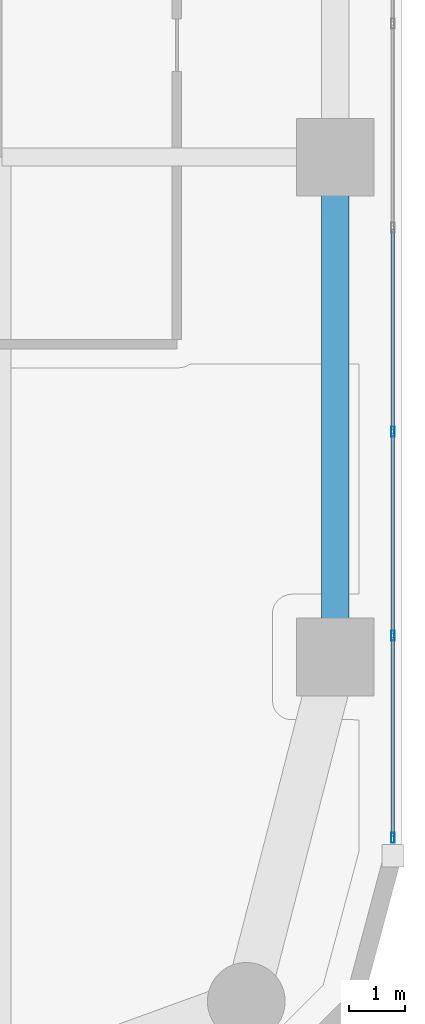
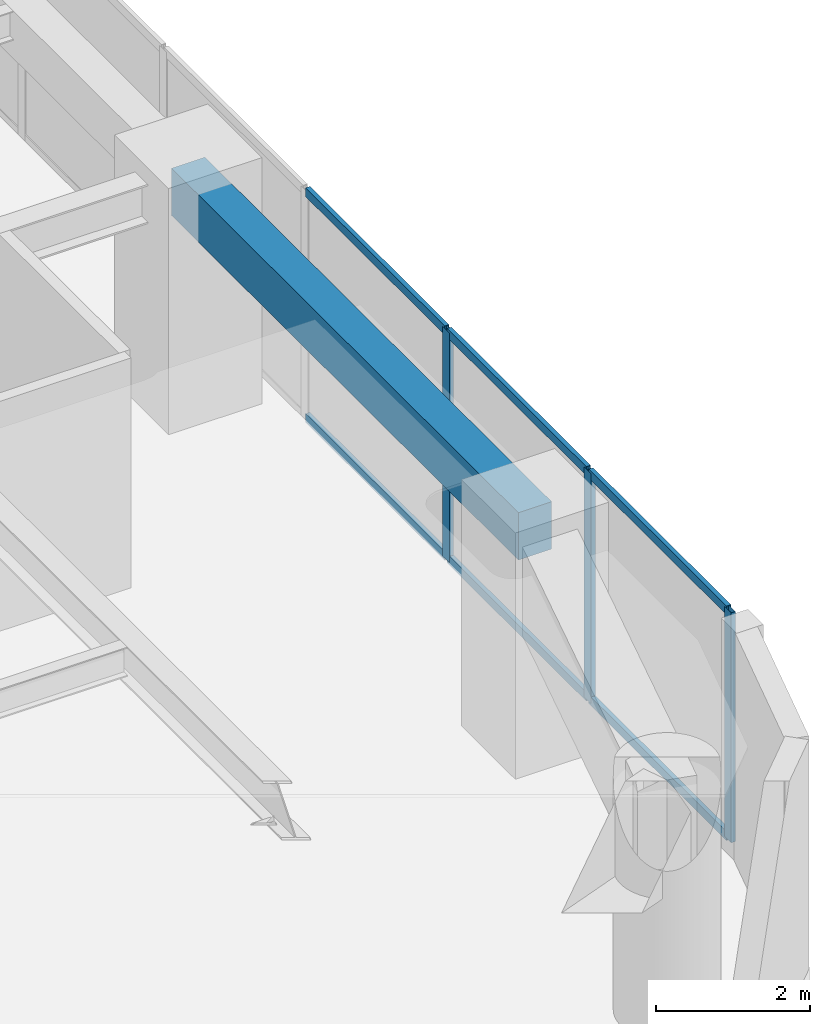
# One storey, part 4 of 24: 9 members, 1 beam, 1 element without a shape of its own.
"""IFC4 building model written with IfcOpenShell, lengths in metres."""

import ifcopenshell
import ifcopenshell.guid

model = None  # the IFC model being written
_history = None  # IfcOwnerHistory: only IFC2X3 demands one
_inside = {}  # id of a spatial element -> (the spatial element, [elements in it])
_under = {}  # id of a project, library or spatial element -> (it, [spatial elements below it])
_declared = {}  # id of a project -> (the project, [libraries it declares])
_typed = {}  # id of a type object -> (the type object, [elements of that type])
_made_of = {}  # id of a material, layer set ... -> (it, [elements and type objects made of it])


def new_model(schema):
    """Start an empty IFC model of exactly this schema.

    Asked for "IFC4X3", IfcOpenShell would pick the latest addendum, in which some entities
    have other attributes; the version numbers below select the first issue.
    IFC2X3 requires an IfcOwnerHistory on every rooted entity: one is made here for all.
    """
    global model, _history
    if schema == "IFC4X3":
        model = ifcopenshell.file(schema_version=(4, 3, 0, 0))
    else:
        model = ifcopenshell.file(schema=schema)
    _inside.clear()
    _under.clear()
    _declared.clear()
    _typed.clear()
    _made_of.clear()
    _history = None
    if model.schema == "IFC2X3":
        org = make("IfcOrganization", Name="unknown")
        user = make(
            "IfcPersonAndOrganization",
            ThePerson=make("IfcPerson", FamilyName="unknown"),
            TheOrganization=org,
        )
        app = make(
            "IfcApplication",
            ApplicationDeveloper=org,
            Version="unknown",
            ApplicationFullName="unknown",
            ApplicationIdentifier="unknown",
        )
        _history = make(
            "IfcOwnerHistory",
            OwningUser=user,
            OwningApplication=app,
            ChangeAction="ADDED",
            CreationDate=0,
        )
    return model


def make(cls, **values):
    """One entity of the class cls with the attributes given. An attribute that is None is left unset."""
    return model.create_entity(
        cls, **{name: value for name, value in values.items() if value is not None}
    )


def rooted(cls, **values):
    """An entity with a GlobalId (a new one), such as an element, a storey or a relation."""
    return make(cls, GlobalId=ifcopenshell.guid.new(), OwnerHistory=_history, **values)


def si_unit(unit_type, name, prefix=None):
    """IfcSIUnit, for example si_unit("LENGTHUNIT", "METRE", prefix="MILLI")."""
    return make("IfcSIUnit", UnitType=unit_type, Prefix=prefix, Name=name)


def assignment(units):
    """IfcUnitAssignment: the units of a project."""
    return None if units is None else make("IfcUnitAssignment", Units=units)


def point(xyz):
    """IfcCartesianPoint."""
    return None if xyz is None else make("IfcCartesianPoint", Coordinates=xyz)


def direction(xyz):
    """IfcDirection."""
    return None if xyz is None else make("IfcDirection", DirectionRatios=xyz)


def frame(location, z_axis=None, x_axis=None):
    """IfcAxis2Placement3D, a coordinate frame: its origin and axes. An axis left out is left unset."""
    return make(
        "IfcAxis2Placement3D",
        Location=point(location),
        Axis=direction(z_axis),
        RefDirection=direction(x_axis),
    )


def frame_2d(location, x_axis=None):
    """IfcAxis2Placement2D, a coordinate frame in the plane: its origin and x axis."""
    return make(
        "IfcAxis2Placement2D", Location=point(location), RefDirection=direction(x_axis)
    )


def origin():
    """The frame at (0, 0, 0) with its axes left unset."""
    return frame((0.0, 0.0, 0.0))


def origin_2d():
    """The frame at (0, 0) in the plane with its x axis left unset."""
    return frame_2d((0.0, 0.0))


def place(relative_to, where):
    """IfcLocalPlacement: puts the frame where relative to a parent placement (None: the world)."""
    return make(
        "IfcLocalPlacement", PlacementRelTo=relative_to, RelativePlacement=where
    )


def context(
    kind, dimensions, precision=None, world=None, true_north=None, identifier=None
):
    """IfcGeometricRepresentationContext, for example the 3D "Model" context."""
    return make(
        "IfcGeometricRepresentationContext",
        ContextIdentifier=identifier,
        ContextType=kind,
        CoordinateSpaceDimension=dimensions,
        Precision=precision,
        WorldCoordinateSystem=world,
        TrueNorth=true_north,
    )


def subcontext(parent, identifier, kind, view, scale=None):
    """IfcGeometricRepresentationSubContext, for example "Body" below "Model"."""
    return make(
        "IfcGeometricRepresentationSubContext",
        ContextIdentifier=identifier,
        ContextType=kind,
        ParentContext=parent,
        TargetScale=scale,
        TargetView=view,
    )


def project(units=None, contexts=None):
    """IfcProject with its units and contexts."""
    return rooted(
        "IfcProject",
        Name="project",
        RepresentationContexts=contexts,
        UnitsInContext=assignment(units),
    )


def spatial(cls, under=None, at=None, **own):
    """A site, building, storey or space (cls), placed at a placement, below another one or the project."""
    s = rooted(cls, ObjectPlacement=at, **own)
    if under is not None:
        _under.setdefault(under.id(), (under, []))[1].append(s)
    return s


def profile(cls, at=None, kind="AREA", **sizes):
    """A parametric profile (cls). Its sizes go by their IFC names, for example OverallWidth=200.0."""
    return make(cls, ProfileType=kind, Position=at, **sizes)


def rectangle(**sizes):
    """IfcRectangleProfileDef."""
    return profile("IfcRectangleProfileDef", **sizes)


def hollow_rectangle(**sizes):
    """IfcRectangleHollowProfileDef."""
    return profile("IfcRectangleHollowProfileDef", **sizes)


def extrude(swept, where, along, depth):
    """IfcExtrudedAreaSolid: the profile swept, set in the frame where, extruded along a direction by depth."""
    return make(
        "IfcExtrudedAreaSolid",
        SweptArea=swept,
        Position=where,
        ExtrudedDirection=direction(along),
        Depth=depth,
    )


def shape(context_of_items, identifier, shape_type, items):
    """IfcShapeRepresentation: the items that make up one representation, for example the "Body"."""
    return make(
        "IfcShapeRepresentation",
        ContextOfItems=context_of_items,
        RepresentationIdentifier=identifier,
        RepresentationType=shape_type,
        Items=items,
    )


def material(Name=None, Category=None):
    """IfcMaterial."""
    return make("IfcMaterial", Name=Name, Category=Category)


def layer(
    of_material, thickness, ventilated=None, Name=None, Category=None, Priority=None
):
    """IfcMaterialLayer: one layer of a wall or slab, of a material (None: an air gap)."""
    return make(
        "IfcMaterialLayer",
        Material=of_material,
        LayerThickness=thickness,
        IsVentilated=ventilated,
        Name=Name,
        Category=Category,
        Priority=Priority,
    )


def layer_set(layers, Name=None):
    """IfcMaterialLayerSet."""
    return make("IfcMaterialLayerSet", MaterialLayers=layers, LayerSetName=Name)


def material_profile(
    of_material, cross_section, Name=None, Category=None, Priority=None
):
    """IfcMaterialProfile: a cross section and its material."""
    return make(
        "IfcMaterialProfile",
        Name=Name,
        Material=of_material,
        Profile=cross_section,
        Priority=Priority,
        Category=Category,
    )


def profile_set(profiles, Name=None, composite=None):
    """IfcMaterialProfileSet."""
    return make(
        "IfcMaterialProfileSet",
        Name=Name,
        MaterialProfiles=profiles,
        CompositeProfile=composite,
    )


def made_of(thing, what):
    """Note that an element or type object is made of a material, layer set ...; save() writes the relation."""
    if what is not None:
        _made_of.setdefault(what.id(), (what, []))[1].append(thing)
    return thing


def type_object(cls, material=None, **own):
    """A type object (cls), such as IfcWallType, which elements share."""
    return made_of(rooted(cls, **own), material)


def element(
    cls,
    number,
    at=None,
    inside=None,
    cuts=None,
    type_object=None,
    material=None,
    context=None,
    identifier="Body",
    shape_type=None,
    held_by="IfcProductDefinitionShape",
    body=None,
    shapes=None,
    **own,
):
    """One element of the class cls, such as IfcWall. Its Tag is "e" and its number.

    at: its placement. inside: the storey or other place that contains it. cuts: it is an
    opening in that element (IfcRelVoidsElement). A single representation is given by context,
    identifier, shape_type and body (its items); several are given by shapes. held_by: the class
    of the entity that holds the representations. save() writes the other relations.
    """
    e = rooted(cls, Tag="e%d" % number, ObjectPlacement=at, **own)
    if body is not None:
        shapes = [shape(context, identifier, shape_type, body)]
    if shapes is not None:
        e.Representation = make(held_by, Representations=shapes)
    if inside is not None:
        _inside.setdefault(inside.id(), (inside, []))[1].append(e)
    if cuts is not None:
        rooted(
            "IfcRelVoidsElement", RelatingBuildingElement=cuts, RelatedOpeningElement=e
        )
    if type_object is not None:
        _typed.setdefault(type_object.id(), (type_object, []))[1].append(e)
    return made_of(e, material)


def aggregate(whole, parts):
    """IfcRelAggregates: a whole, such as a stair, and the parts it consists of."""
    return rooted("IfcRelAggregates", RelatingObject=whole, RelatedObjects=parts)


def save(model, path):
    """Write the relations noted so far, then the file.

    IfcRelAggregates (storeys below a building ...), IfcRelContainedInSpatialStructure (elements
    in a storey), IfcRelDefinesByType, IfcRelAssociatesMaterial and IfcRelDeclares: one each for
    every whole, place, type object, material and project.
    """
    for whole, parts in _under.values():
        aggregate(whole, parts)
    for where, things in _inside.values():
        rooted(
            "IfcRelContainedInSpatialStructure",
            RelatedElements=things,
            RelatingStructure=where,
        )
    for kind, things in _typed.values():
        rooted("IfcRelDefinesByType", RelatedObjects=things, RelatingType=kind)
    for what, things in _made_of.values():
        rooted("IfcRelAssociatesMaterial", RelatedObjects=things, RelatingMaterial=what)
    for by, libraries in _declared.values():
        rooted("IfcRelDeclares", RelatingContext=by, RelatedDefinitions=libraries)
    model.write(path)


model = new_model("IFC4")

# Units and contexts
model_context = context("Model", 3, precision=1e-05, world=origin(), true_north=direction((0.0, 1.0)))
body_context = subcontext(model_context, "Body", "Model", "MODEL_VIEW")
ifc_project = project(units=[si_unit("LENGTHUNIT", "METRE"), si_unit("AREAUNIT", "SQUARE_METRE"), si_unit("VOLUMEUNIT", "CUBIC_METRE"), si_unit("PLANEANGLEUNIT", "RADIAN"), si_unit("MASSUNIT", "GRAM", prefix="KILO")], contexts=[model_context])

# Site, building, storey
site_placement = place(None, origin())
site = spatial("IfcSite", under=ifc_project, at=site_placement, CompositionType="ELEMENT")
building_placement = place(site_placement, origin())
building = spatial("IfcBuilding", under=site, at=building_placement, Name="Kiyonajd Concourse Tower", CompositionType="ELEMENT")
storey_placement = place(building_placement, frame((0.0, 0.0, 93.60009765625)))
storey = spatial("IfcBuildingStorey", under=building, at=storey_placement, Name="L24", CompositionType="ELEMENT", Elevation=93.60009765625)

# Beam
ifc_material_1 = material(Name="Precast concrete C50/60", Category="concrete")
ifc_material_profile_1 = material_profile(ifc_material_1, rectangle(XDim=0.5, YDim=0.75, at=origin_2d()), Name="RCBM-500x750")
ifc_profile_set_1 = profile_set([ifc_material_profile_1], Name="Precast concrete C50/60")
beam_type = type_object("IfcBeamType", Name="BM-SPAN-RC", PredefinedType="SPANDREL", material=ifc_profile_set_1)
beam_placement = place(storey_placement, frame((69.60009765625, 18.60009765625, 3.264892578125), z_axis=(0.0, 1.0, 0.0), x_axis=(-1.0, 0.0, 0.0)))
element("IfcBeam", 1, at=beam_placement, inside=storey, type_object=beam_type, Name="L24 Perimeter Bundled Tube Spandrel", PredefinedType="SPANDREL", context=body_context, shape_type="SweptSolid", body=[
    extrude(rectangle(XDim=0.5, YDim=0.75, at=origin_2d()), origin(), (0.0, 0.0, 1.0), 9.0),
])

# Curtain wall, members
ifc_material_2 = material(Name="Thermally Broken Anodised Aluminium", Category="aluminium")
ifc_layer = layer(ifc_material_2, 0.179931640625)
ifc_layer_set = layer_set([ifc_layer], Name="Thermally Broken Anodised Aluminium")
curtain_wall_type = type_object("IfcCurtainWallType", Name="CW-SYS-03", PredefinedType="NOTDEFINED", material=ifc_layer_set)
curtain_wall_placement = place(storey_placement, origin())
curtain_wall = element("IfcCurtainWall", 2, at=curtain_wall_placement, inside=storey, type_object=curtain_wall_type, Name="L24 Unitised Curtain Wall CW3", PredefinedType="NOTDEFINED")
ifc_material_profile_2 = material_profile(ifc_material_2, hollow_rectangle(XDim=0.06494140625, YDim=0.179931640625, WallThickness=0.00390625, at=origin_2d()), Name="MULL-65x180")
ifc_profile_set_2 = profile_set([ifc_material_profile_2], Name="Thermally Broken Anodised Aluminium")
member_type_1 = type_object("IfcMemberType", Name="MB-CW-MULL1", PredefinedType="MULLION", material=ifc_profile_set_2)
member_1_placement = place(storey_placement, frame((70.639892578125, 22.657470703125, 0.0), z_axis=(0.0, 0.0, 1.0), x_axis=(1.0, 0.0, 0.0)))
member_1 = element("IfcMember", 3, at=member_1_placement, type_object=member_type_1, Name="CW3 mullion 5", PredefinedType="MULLION", context=body_context, shape_type="SweptSolid", body=[
    extrude(hollow_rectangle(XDim=0.06494140625, YDim=0.179931640625, WallThickness=0.00390625, at=origin_2d()), origin(), (0.0, 0.0, 1.0), 3.639892578125),
])
member_2_placement = place(storey_placement, frame((70.639892578125, 18.984130859375, 0.0), z_axis=(0.0, 0.0, 1.0), x_axis=(1.0, 0.0, 0.0)))
member_2 = element("IfcMember", 4, at=member_2_placement, type_object=member_type_1, Name="CW3 mullion 6", PredefinedType="MULLION", context=body_context, shape_type="SweptSolid", body=[
    extrude(hollow_rectangle(XDim=0.06494140625, YDim=0.179931640625, WallThickness=0.00390625, at=origin_2d()), origin(), (0.0, 0.0, 1.0), 3.639892578125),
])
member_3_placement = place(storey_placement, frame((70.639892578125, 15.343505859375, 0.0), z_axis=(0.0, 0.0, 1.0), x_axis=(1.0, 0.0, 0.0)))
member_3 = element("IfcMember", 5, at=member_3_placement, type_object=member_type_1, Name="CW3 mullion 7", PredefinedType="MULLION", context=body_context, shape_type="SweptSolid", body=[
    extrude(hollow_rectangle(XDim=0.06494140625, YDim=0.179931640625, WallThickness=0.00390625, at=origin_2d()), origin(), (0.0, 0.0, 1.0), 3.639892578125),
])
ifc_material_profile_3 = material_profile(ifc_material_2, hollow_rectangle(XDim=0.06494140625, YDim=0.139892578125, WallThickness=0.00390625, at=origin_2d()), Name="TRAN-65x140")
ifc_profile_set_3 = profile_set([ifc_material_profile_3], Name="Thermally Broken Anodised Aluminium")
member_type_2 = type_object("IfcMemberType", Name="MB-CW-TRAN1", PredefinedType="USERDEFINED", material=ifc_profile_set_3)
member_4_placement = place(storey_placement, frame((70.639892578125, 26.298095703125, 0.032470703125), z_axis=(0.0, -1.0, 0.0), x_axis=(1.0, 0.0, 0.0)))
member_4 = element("IfcMember", 6, at=member_4_placement, type_object=member_type_2, Name="CW3 transom 4.1", ObjectType="TRANSOM", PredefinedType="USERDEFINED", context=body_context, shape_type="SweptSolid", body=[
    extrude(hollow_rectangle(XDim=0.06494140625, YDim=0.139892578125, WallThickness=0.00390625, at=origin_2d()), origin(), (0.0, 0.0, 1.0), 3.608154296875),
])
member_5_placement = place(storey_placement, frame((70.639892578125, 26.298095703125, 3.607421875), z_axis=(0.0, -1.0, 0.0), x_axis=(1.0, 0.0, 0.0)))
member_5 = element("IfcMember", 7, at=member_5_placement, type_object=member_type_2, Name="CW3 transom 4.2", ObjectType="TRANSOM", PredefinedType="USERDEFINED", context=body_context, shape_type="SweptSolid", body=[
    extrude(hollow_rectangle(XDim=0.06494140625, YDim=0.139892578125, WallThickness=0.00390625, at=origin_2d()), origin(), (0.0, 0.0, 1.0), 3.608154296875),
])
member_6_placement = place(storey_placement, frame((70.639892578125, 22.625, 0.032470703125), z_axis=(0.0, -1.0, 0.0), x_axis=(1.0, 0.0, 0.0)))
member_6 = element("IfcMember", 8, at=member_6_placement, type_object=member_type_2, Name="CW3 transom 5.1", ObjectType="TRANSOM", PredefinedType="USERDEFINED", context=body_context, shape_type="SweptSolid", body=[
    extrude(hollow_rectangle(XDim=0.06494140625, YDim=0.139892578125, WallThickness=0.00390625, at=origin_2d()), origin(), (0.0, 0.0, 1.0), 3.608154296875),
])
member_7_placement = place(storey_placement, frame((70.639892578125, 22.625, 3.607421875), z_axis=(0.0, -1.0, 0.0), x_axis=(1.0, 0.0, 0.0)))
member_7 = element("IfcMember", 9, at=member_7_placement, type_object=member_type_2, Name="CW3 transom 5.2", ObjectType="TRANSOM", PredefinedType="USERDEFINED", context=body_context, shape_type="SweptSolid", body=[
    extrude(hollow_rectangle(XDim=0.06494140625, YDim=0.139892578125, WallThickness=0.00390625, at=origin_2d()), origin(), (0.0, 0.0, 1.0), 3.608154296875),
])
member_8_placement = place(storey_placement, frame((70.639892578125, 18.95166015625, 0.032470703125), z_axis=(0.0, -1.0, 0.0), x_axis=(1.0, 0.0, 0.0)))
member_8 = element("IfcMember", 10, at=member_8_placement, type_object=member_type_2, Name="CW3 transom 6.1", ObjectType="TRANSOM", PredefinedType="USERDEFINED", context=body_context, shape_type="SweptSolid", body=[
    extrude(hollow_rectangle(XDim=0.06494140625, YDim=0.139892578125, WallThickness=0.00390625, at=origin_2d()), origin(), (0.0, 0.0, 1.0), 3.575439453125),
])
member_9_placement = place(storey_placement, frame((70.639892578125, 18.95166015625, 3.607421875), z_axis=(0.0, -1.0, 0.0), x_axis=(1.0, 0.0, 0.0)))
member_9 = element("IfcMember", 11, at=member_9_placement, type_object=member_type_2, Name="CW3 transom 6.2", ObjectType="TRANSOM", PredefinedType="USERDEFINED", context=body_context, shape_type="SweptSolid", body=[
    extrude(hollow_rectangle(XDim=0.06494140625, YDim=0.139892578125, WallThickness=0.00390625, at=origin_2d()), origin(), (0.0, 0.0, 1.0), 3.575439453125),
])
aggregate(curtain_wall, [member_1, member_2, member_3, member_4, member_5, member_6, member_7, member_8, member_9])

save(model, "model.ifc")
